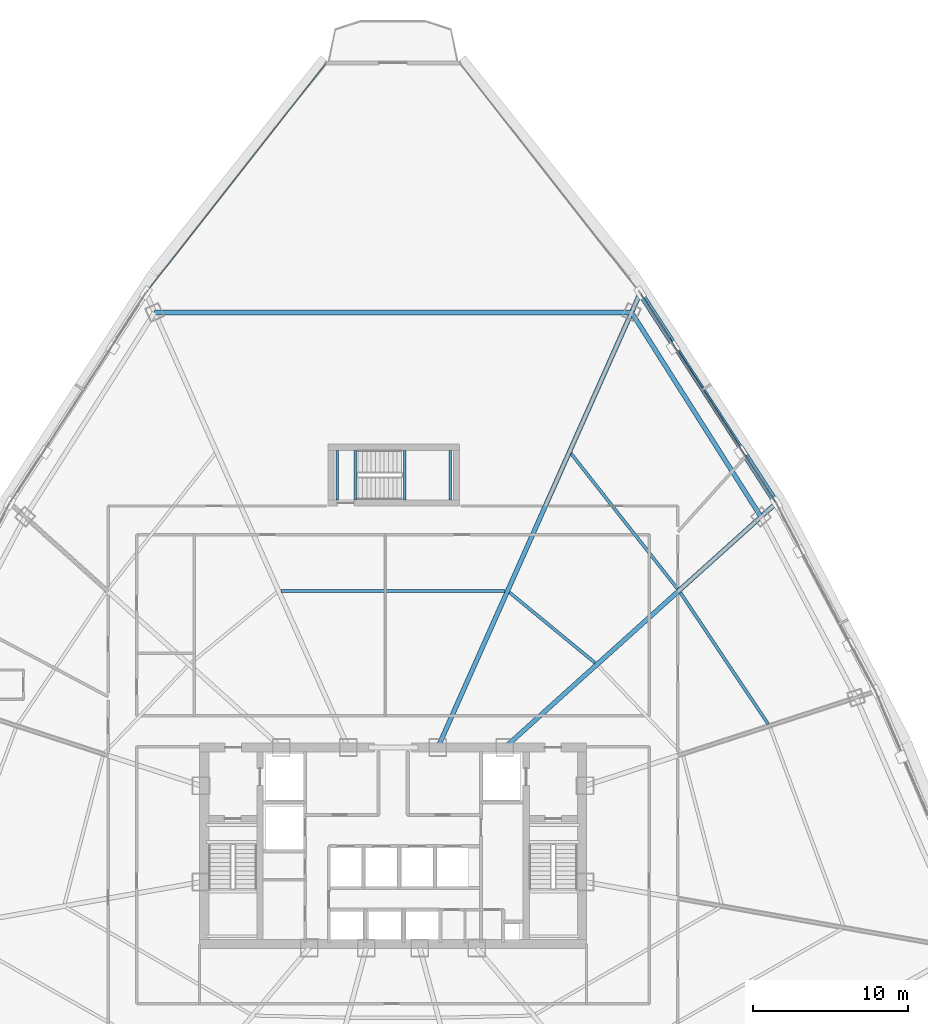
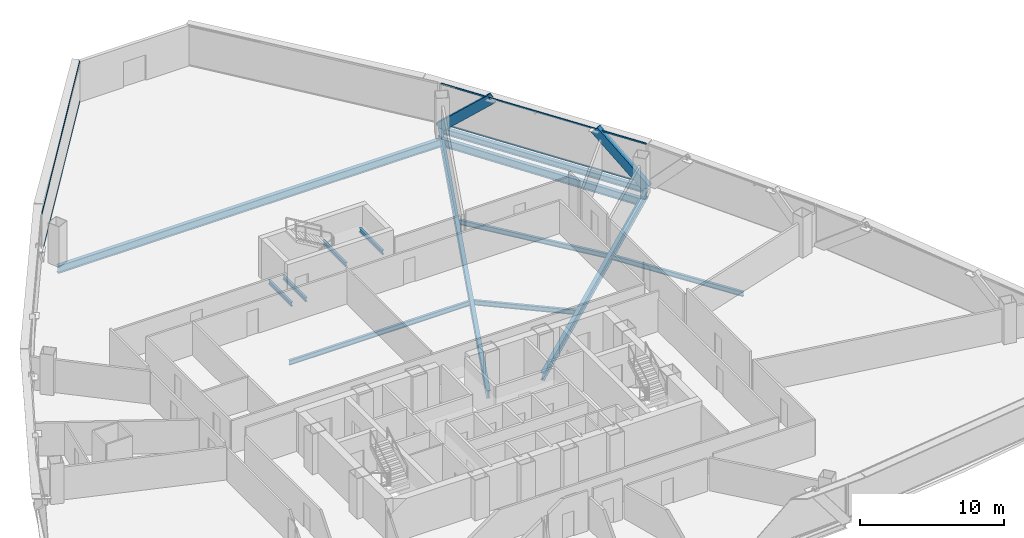
# One storey, part 21 of 40: 13 beams, 6 members, 2 elements without a shape of their own.
"""IFC4 building model written with IfcOpenShell, lengths in metres."""

from ifc_helpers import new_model, si_unit, direction, frame, origin, origin_2d, place, context, subcontext, project, spatial, hollow_rectangle, i_section, extrude, source, transform, mapped, material, layer, layer_set, material_profile, profile_set, type_object, element, aggregate, save


model = new_model("IFC4")

# Units and contexts
model_context = context("Model", 3, precision=1e-05, world=origin(), true_north=direction((0.0, 1.0)))
body_context = subcontext(model_context, "Body", "Model", "MODEL_VIEW")
ifc_project = project(units=[si_unit("LENGTHUNIT", "METRE"), si_unit("AREAUNIT", "SQUARE_METRE"), si_unit("VOLUMEUNIT", "CUBIC_METRE"), si_unit("PLANEANGLEUNIT", "RADIAN"), si_unit("MASSUNIT", "GRAM", prefix="KILO"), si_unit("THERMODYNAMICTEMPERATUREUNIT", "KELVIN"), si_unit("POWERUNIT", "WATT")], contexts=[model_context])

# Site, building, storey
site_placement = place(None, origin())
site = spatial("IfcSite", under=ifc_project, at=site_placement, CompositionType="ELEMENT")
building_placement = place(site_placement, origin())
building = spatial("IfcBuilding", under=site, at=building_placement, Name="Yunzhuo Pagoda Commons", CompositionType="ELEMENT")
storey_placement = place(building_placement, frame((0.0, 0.0, 159.27001953125)))
storey = spatial("IfcBuildingStorey", under=building, at=storey_placement, Name="L40", CompositionType="ELEMENT", Elevation=159.27001953125)

# Beams
ifc_material_1 = material(Name="Structural steel Q355B", Category="steel")
ifc_material_profile_1 = material_profile(ifc_material_1, i_section(OverallWidth=0.175048828125, OverallDepth=0.35009765625, WebThickness=0.007080078125, FlangeThickness=0.010986328125, at=origin_2d()), Name="Structural steel Q355B")
ifc_profile_set_1 = profile_set([ifc_material_profile_1], Name="Structural steel Q355B")
beam_type_1 = type_object("IfcBeamType", Name="B-JS2 Joist HN 350x175x7x11", PredefinedType="JOIST", material=ifc_profile_set_1)
shared_shape_1 = source(origin(), body_context, "Body", "SweptSolid", [
    extrude(i_section(OverallWidth=0.175048828125, OverallDepth=0.35009765625, WebThickness=0.007080078125, FlangeThickness=0.010986328125, at=origin_2d()), origin(), (0.0, 0.0, 1.0), 3.199951171875),
])
for number, where, z_axis, x_axis, name in (
    (1, (48.75, 56.199951171875, 1.465087890625), (0.0, 1.0, 0.0), (-1.0, 0.0, 0.0), "L40 ST3 landing support beam 46A"),
    (2, (51.699951171875, 56.199951171875, 1.465087890625), (0.0, 1.0, 0.0), (-1.0, 0.0, 0.0), "L40 ST3 landing support beam 46B"),
    (3, (44.39990234375, 56.199951171875, -0.374755859375), (0.0, 1.0, 0.0), (-1.0, 0.0, 0.0), "L40 ST3 landing support beam 114A"),
    (4, (45.550048828125, 56.199951171875, -0.374755859375), (0.0, 1.0, 0.0), (-1.0, 0.0, 0.0), "L40 ST3 landing support beam 114B"),
):
    element("IfcBeam", number, at=place(storey_placement, frame(where, z_axis=z_axis, x_axis=x_axis)), inside=storey, type_object=beam_type_1, Name=name, PredefinedType="JOIST", context=body_context, shape_type="MappedRepresentation", body=[
        mapped(shared_shape_1, transform((0.0, 0.0, 0.0), scale=1.0)),
    ])
ifc_material_profile_2 = material_profile(ifc_material_1, i_section(OverallWidth=0.199951171875, OverallDepth=0.39990234375, WebThickness=0.008056640625, FlangeThickness=0.012939453125, at=origin_2d()), Name="Structural steel Q355B")
ifc_profile_set_2 = profile_set([ifc_material_profile_2], Name="Structural steel Q355B")
beam_type_2 = type_object("IfcBeamType", Name="B-JS1 Joist HN 400x200x8x13", PredefinedType="JOIST", material=ifc_profile_set_2)
shared_shape_2 = source(origin(), body_context, "Body", "SweptSolid", [
    extrude(i_section(OverallWidth=0.199951171875, OverallDepth=0.39990234375, WebThickness=0.008056640625, FlangeThickness=0.012939453125, at=origin_2d()), origin(), (0.0, 0.0, 1.0), 10.186767578125),
])
beam_1_placement = place(storey_placement, frame((72.221923828125, 41.731201171875, -0.4599609375), z_axis=(-0.555872145938, 0.831267801235, 0.0), x_axis=(-0.831267801235, -0.555872145938, 0.0)))
element("IfcBeam", 5, at=beam_1_placement, inside=storey, type_object=beam_type_2, Name="L40 composite ring joist 2.6", PredefinedType="JOIST", context=body_context, shape_type="MappedRepresentation", body=[
    mapped(shared_shape_2, transform((0.0, 0.0, 0.0), scale=1.0)),
])
ifc_material_profile_3 = material_profile(ifc_material_1, i_section(OverallWidth=0.300048828125, OverallDepth=0.64990234375, WebThickness=0.012939453125, FlangeThickness=0.02197265625, at=origin_2d()), Name="Structural steel Q355B")
ifc_profile_set_3 = profile_set([ifc_material_profile_3], Name="Structural steel Q355B")
beam_type_3 = type_object("IfcBeamType", Name="B-RG2 Beam HN 650x300x13x22", PredefinedType="BEAM", material=ifc_profile_set_3)
shared_shape_3 = source(origin(), body_context, "Body", "SweptSolid", [
    extrude(i_section(OverallWidth=0.300048828125, OverallDepth=0.64990234375, WebThickness=0.012939453125, FlangeThickness=0.02197265625, at=origin_2d()), origin(), (0.0, 0.0, 1.0), 15.627685546875),
])
beam_2_placement = place(storey_placement, frame((71.76611328125, 55.09912109375, -0.5849609375), z_axis=(-0.534952471728, 0.844882153316, 0.0), x_axis=(-0.844882153316, -0.534952471728, 0.0)))
element("IfcBeam", 6, at=beam_2_placement, inside=storey, type_object=beam_type_3, Name="L40 column-ring beam 7", PredefinedType="BEAM", context=body_context, shape_type="MappedRepresentation", body=[
    mapped(shared_shape_3, transform((0.0, 0.0, 0.0), scale=1.0)),
])
shared_shape_4 = source(origin(), body_context, "Body", "SweptSolid", [
    extrude(i_section(OverallWidth=0.199951171875, OverallDepth=0.39990234375, WebThickness=0.008056640625, FlangeThickness=0.012939453125, at=origin_2d()), origin(), (0.0, 0.0, 1.0), 7.163818359375),
])
beam_3_placement = place(storey_placement, frame((61.05322265625, 45.664794921875, -0.4599609375), z_axis=(-0.772234119563, 0.635338071095, 0.0), x_axis=(-0.635338071095, -0.772234119563, 0.0)))
element("IfcBeam", 7, at=beam_3_placement, inside=storey, type_object=beam_type_2, Name="L40 composite ring joist 1.7", PredefinedType="JOIST", context=body_context, shape_type="MappedRepresentation", body=[
    mapped(shared_shape_4, transform((0.0, 0.0, 0.0), scale=1.0)),
])
shared_shape_5 = source(origin(), body_context, "Body", "SweptSolid", [
    extrude(i_section(OverallWidth=0.199951171875, OverallDepth=0.39990234375, WebThickness=0.008056640625, FlangeThickness=0.012939453125, at=origin_2d()), origin(), (0.0, 0.0, 1.0), 11.109375),
])
beam_4_placement = place(storey_placement, frame((66.372802734375, 50.456298828125, -0.4599609375), z_axis=(-0.618600596935, 0.785705607382, 0.0), x_axis=(-0.785705607382, -0.618600596935, 0.0)))
element("IfcBeam", 8, at=beam_4_placement, inside=storey, type_object=beam_type_2, Name="L40 composite ring joist 2.7", PredefinedType="JOIST", context=body_context, shape_type="MappedRepresentation", body=[
    mapped(shared_shape_5, transform((0.0, 0.0, 0.0), scale=1.0)),
])
shared_shape_6 = source(origin(), body_context, "Body", "SweptSolid", [
    extrude(i_section(OverallWidth=0.300048828125, OverallDepth=0.64990234375, WebThickness=0.012939453125, FlangeThickness=0.02197265625, at=origin_2d()), origin(), (0.0, 0.0, 1.0), 30.81201171875),
])
beam_5_placement = place(storey_placement, frame((63.406005859375, 68.302734375, -0.5849609375), z_axis=(-1.0, 0.0, 0.0), x_axis=(0.0, -1.0, 0.0)))
element("IfcBeam", 9, at=beam_5_placement, inside=storey, type_object=beam_type_3, Name="L40 column-ring beam 8", PredefinedType="BEAM", context=body_context, shape_type="MappedRepresentation", body=[
    mapped(shared_shape_6, transform((0.0, 0.0, 0.0), scale=1.0)),
])
shared_shape_7 = source(origin(), body_context, "Body", "SweptSolid", [
    extrude(i_section(OverallWidth=0.199951171875, OverallDepth=0.39990234375, WebThickness=0.008056640625, FlangeThickness=0.012939453125, at=origin_2d()), origin(), (0.0, 0.0, 1.0), 14.47900390625),
])
beam_6_placement = place(storey_placement, frame((55.239501953125, 50.317138671875, -0.4599609375), z_axis=(-1.0, 0.0, 0.0), x_axis=(0.0, -1.0, 0.0)))
element("IfcBeam", 10, at=beam_6_placement, inside=storey, type_object=beam_type_2, Name="L40 composite ring joist 1.8", PredefinedType="JOIST", context=body_context, shape_type="MappedRepresentation", body=[
    mapped(shared_shape_7, transform((0.0, 0.0, 0.0), scale=1.0)),
])
shared_shape_8 = source(origin(), body_context, "Body", "SweptSolid", [
    extrude(i_section(OverallWidth=0.300048828125, OverallDepth=0.64990234375, WebThickness=0.012939453125, FlangeThickness=0.02197265625, at=origin_2d()), origin(), (0.0, 0.0, 1.0), 23.44287109375),
])
beam_7_placement = place(storey_placement, frame((72.640380859375, 55.886474609375, -0.5849609375), z_axis=(-0.743139811502, -0.669136174901, 0.0), x_axis=(0.669136174901, -0.743139811502, 0.0)))
element("IfcBeam", 11, at=beam_7_placement, inside=storey, type_object=beam_type_3, Name="L40 radial floor girder F2C3", PredefinedType="BEAM", context=body_context, shape_type="MappedRepresentation", body=[
    mapped(shared_shape_8, transform((0.0, 0.0, 0.0), scale=1.0)),
])
shared_shape_9 = source(origin(), body_context, "Body", "SweptSolid", [
    extrude(i_section(OverallWidth=0.300048828125, OverallDepth=0.64990234375, WebThickness=0.012939453125, FlangeThickness=0.02197265625, at=origin_2d()), origin(), (0.0, 0.0, 1.0), 31.986328125),
])
beam_8_placement = place(storey_placement, frame((63.904052734375, 69.4208984375, -0.5849609375), z_axis=(-0.406736795216, -0.913545389905, 0.0), x_axis=(0.913545389905, -0.406736795216, 0.0)))
element("IfcBeam", 12, at=beam_8_placement, inside=storey, type_object=beam_type_3, Name="L40 radial floor girder F2C4", PredefinedType="BEAM", context=body_context, shape_type="MappedRepresentation", body=[
    mapped(shared_shape_9, transform((0.0, 0.0, 0.0), scale=1.0)),
])
ifc_material_profile_4 = material_profile(ifc_material_1, i_section(OverallWidth=0.300048828125, OverallDepth=0.488037109375, WebThickness=0.010986328125, FlangeThickness=0.01806640625, at=origin_2d()), Name="Structural steel Q355B")
ifc_profile_set_4 = profile_set([ifc_material_profile_4], Name="Structural steel Q355B")
beam_type_4 = type_object("IfcBeamType", Name="B-SP1 Beam HM 488x300x11x18", PredefinedType="BEAM", material=ifc_profile_set_4)
shared_shape_10 = source(origin(), body_context, "Body", "SweptSolid", [
    extrude(i_section(OverallWidth=0.300048828125, OverallDepth=0.488037109375, WebThickness=0.010986328125, FlangeThickness=0.01806640625, at=origin_2d()), origin(), (0.0, 0.0, 1.0), 16.16943359375),
])
beam_9_placement = place(storey_placement, frame((72.755615234375, 55.989990234375, -0.50390625), z_axis=(-0.543528588708, 0.839390655927, 0.0), x_axis=(-0.839390655927, -0.543528588708, 0.0)))
element("IfcBeam", 13, at=beam_9_placement, inside=storey, type_object=beam_type_4, Name="L40 facade edge spandrel beam F2.3", PredefinedType="BEAM", context=body_context, shape_type="MappedRepresentation", body=[
    mapped(shared_shape_10, transform((0.0, 0.0, 0.0), scale=1.0)),
])

# Members
ifc_material_profile_5 = material_profile(ifc_material_1, hollow_rectangle(XDim=0.39990234375, YDim=0.719970703125, WallThickness=0.02392578125, at=origin_2d()), Name="Structural steel Q355B")
ifc_profile_set_5 = profile_set([ifc_material_profile_5], Name="Structural steel Q355B")
member_type_1 = type_object("IfcMemberType", Name="M-DL2 Brace BOX 720x400x24", PredefinedType="BRACE", material=ifc_profile_set_5)
shared_shape_11 = source(origin(), body_context, "Body", "SweptSolid", [
    extrude(hollow_rectangle(XDim=0.39990234375, YDim=0.719970703125, WallThickness=0.02392578125, at=origin_2d()), origin(), (0.0, 0.0, 1.0), 5.466552734375),
])
for number, where, z_axis, x_axis, name in (
    (14, (72.755615234375, 55.989990234375, -0.260009765625), (-0.401950076306, 0.620700240056, 0.673177055574), (-0.839372417782, -0.543556753492, 0.0), "L40 facade diamond brace F2.3L"),
    (15, (63.967041015625, 69.5625, -0.260009765625), (0.401950076306, -0.620700240056, 0.673177055574), (0.839372417782, 0.543556753492, 0.0), "L40 facade diamond brace F2.3R"),
):
    element("IfcMember", number, at=place(storey_placement, frame(where, z_axis=z_axis, x_axis=x_axis)), inside=storey, type_object=member_type_1, Name=name, PredefinedType="BRACE", context=body_context, shape_type="MappedRepresentation", body=[
        mapped(shared_shape_11, transform((0.0, 0.0, 0.0), scale=1.0)),
    ])

# Curtain wall, members
ifc_material_2 = material(Name="Anodized aluminium 6063-T6", Category="aluminium")
ifc_layer = layer(ifc_material_2, 0.14990234375)
ifc_layer_set = layer_set([ifc_layer], Name="Anodized aluminium 6063-T6")
curtain_wall_type = type_object("IfcCurtainWallType", Name="CW-MID Mid-Zone Ribbon Curtain Wall", PredefinedType="NOTDEFINED", material=ifc_layer_set)
curtain_wall_1_placement = place(storey_placement, origin())
curtain_wall_1 = element("IfcCurtainWall", 16, at=curtain_wall_1_placement, inside=storey, type_object=curtain_wall_type, Name="L40 curtain wall CW-L40-F2B4", PredefinedType="NOTDEFINED")
ifc_material_profile_6 = material_profile(ifc_material_2, hollow_rectangle(XDim=0.054931640625, YDim=0.1298828125, WallThickness=0.00341796875, at=origin_2d()), Name="Anodized aluminium 6063-T6")
ifc_profile_set_6 = profile_set([ifc_material_profile_6], Name="Anodized aluminium 6063-T6")
member_type_2 = type_object("IfcMemberType", Name="CW-MID-T Transom RHS 130x55x3.5", PredefinedType="USERDEFINED", material=ifc_profile_set_6)
shared_shape_12 = source(origin(), body_context, "Body", "SweptSolid", [
    extrude(hollow_rectangle(XDim=0.054931640625, YDim=0.1298828125, WallThickness=0.00341796875, at=origin_2d()), origin(), (0.0, 0.0, 1.0), 16.049560546875),
])
member_1_placement = place(storey_placement, frame((72.722900390625, 56.040283203125, 0.027587890625), z_axis=(-0.543526245349, 0.839392173312, 0.0), x_axis=(-0.839392173312, -0.543526245349, 0.0)))
member_1 = element("IfcMember", 17, at=member_1_placement, type_object=member_type_2, Name="CW transom 1.1", ObjectType="TRANSOM", PredefinedType="USERDEFINED", context=body_context, shape_type="MappedRepresentation", body=[
    mapped(shared_shape_12, transform((0.0, 0.0, 0.0), scale=1.0)),
])
member_2_placement = place(storey_placement, frame((72.722900390625, 56.040283203125, 3.392578125), z_axis=(-0.543526245349, 0.839392173312, 0.0), x_axis=(-0.839392173312, -0.543526245349, 0.0)))
member_2 = element("IfcMember", 18, at=member_2_placement, type_object=member_type_2, Name="CW transom 1.2", ObjectType="TRANSOM", PredefinedType="USERDEFINED", context=body_context, shape_type="MappedRepresentation", body=[
    mapped(shared_shape_12, transform((0.0, 0.0, 0.0), scale=1.0)),
])
aggregate(curtain_wall_1, [member_1, member_2])

curtain_wall_2_placement = place(storey_placement, origin())
curtain_wall_2 = element("IfcCurtainWall", 19, at=curtain_wall_2_placement, inside=storey, type_object=curtain_wall_type, Name="L40 curtain wall CW-L40-F3B1", PredefinedType="NOTDEFINED")
shared_shape_13 = source(origin(), body_context, "Body", "SweptSolid", [
    extrude(hollow_rectangle(XDim=0.054931640625, YDim=0.1298828125, WallThickness=0.00341796875, at=origin_2d()), origin(), (0.0, 0.0, 1.0), 18.6806640625),
])
member_3_placement = place(storey_placement, frame((43.647216796875, 84.365966796875, 0.027587890625), z_axis=(-0.61725574956, -0.786762568781, 0.0), x_axis=(0.786762568781, -0.61725574956, 0.0)))
member_3 = element("IfcMember", 20, at=member_3_placement, type_object=member_type_2, Name="CW transom 1.1", ObjectType="TRANSOM", PredefinedType="USERDEFINED", context=body_context, shape_type="MappedRepresentation", body=[
    mapped(shared_shape_13, transform((0.0, 0.0, 0.0), scale=1.0)),
])
member_4_placement = place(storey_placement, frame((43.647216796875, 84.365966796875, 3.392578125), z_axis=(-0.61725574956, -0.786762568781, 0.0), x_axis=(0.786762568781, -0.61725574956, 0.0)))
member_4 = element("IfcMember", 21, at=member_4_placement, type_object=member_type_2, Name="CW transom 1.2", ObjectType="TRANSOM", PredefinedType="USERDEFINED", context=body_context, shape_type="MappedRepresentation", body=[
    mapped(shared_shape_13, transform((0.0, 0.0, 0.0), scale=1.0)),
])
aggregate(curtain_wall_2, [member_3, member_4])

save(model, "model.ifc")
